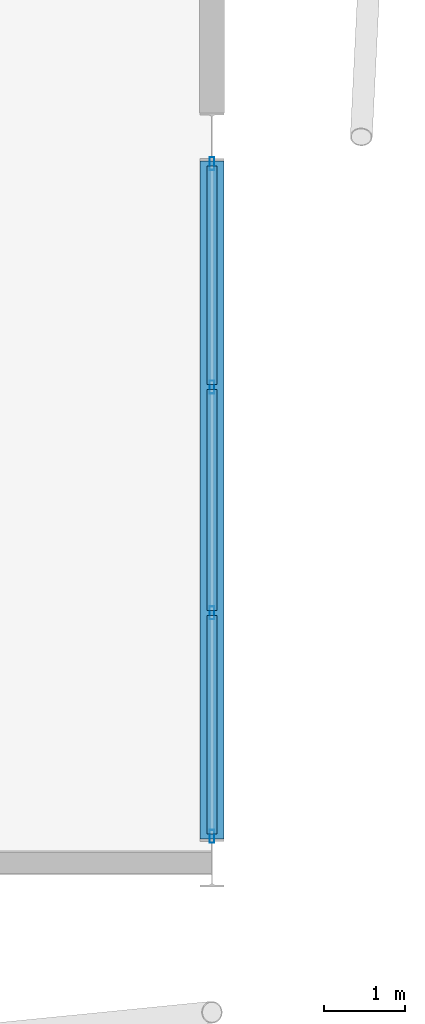
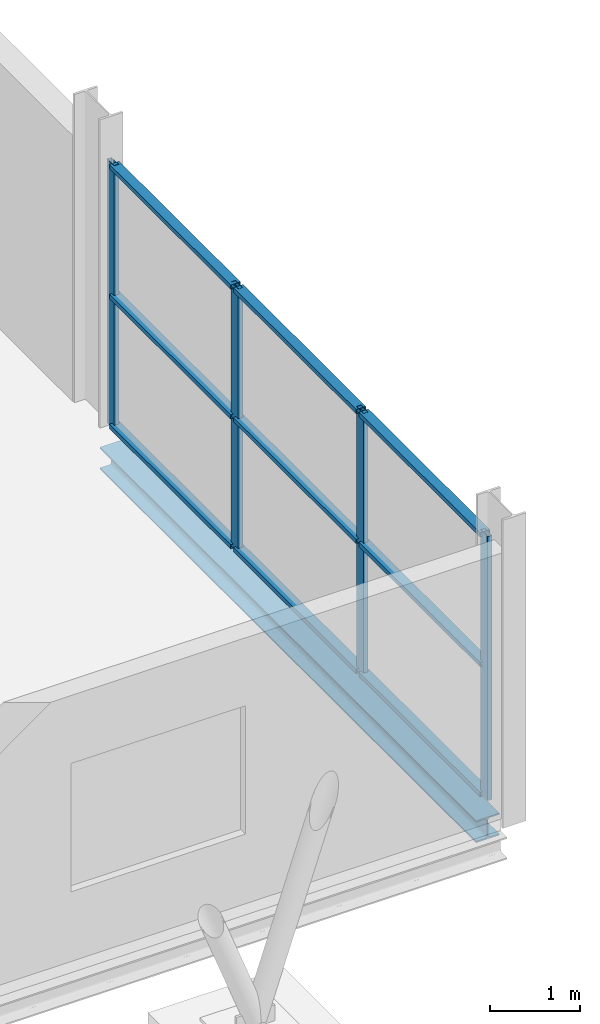
# One storey, part 87 of 140: 13 members, 1 beam, 1 element without a shape of its own.
"""IFC4 building model written with IfcOpenShell, lengths in metres."""

import ifcopenshell
import ifcopenshell.guid

model = None  # the IFC model being written
_history = None  # IfcOwnerHistory: only IFC2X3 demands one
_inside = {}  # id of a spatial element -> (the spatial element, [elements in it])
_under = {}  # id of a project, library or spatial element -> (it, [spatial elements below it])
_declared = {}  # id of a project -> (the project, [libraries it declares])
_typed = {}  # id of a type object -> (the type object, [elements of that type])
_made_of = {}  # id of a material, layer set ... -> (it, [elements and type objects made of it])


def new_model(schema):
    """Start an empty IFC model of exactly this schema.

    Asked for "IFC4X3", IfcOpenShell would pick the latest addendum, in which some entities
    have other attributes; the version numbers below select the first issue.
    IFC2X3 requires an IfcOwnerHistory on every rooted entity: one is made here for all.
    """
    global model, _history
    if schema == "IFC4X3":
        model = ifcopenshell.file(schema_version=(4, 3, 0, 0))
    else:
        model = ifcopenshell.file(schema=schema)
    _inside.clear()
    _under.clear()
    _declared.clear()
    _typed.clear()
    _made_of.clear()
    _history = None
    if model.schema == "IFC2X3":
        org = make("IfcOrganization", Name="unknown")
        user = make(
            "IfcPersonAndOrganization",
            ThePerson=make("IfcPerson", FamilyName="unknown"),
            TheOrganization=org,
        )
        app = make(
            "IfcApplication",
            ApplicationDeveloper=org,
            Version="unknown",
            ApplicationFullName="unknown",
            ApplicationIdentifier="unknown",
        )
        _history = make(
            "IfcOwnerHistory",
            OwningUser=user,
            OwningApplication=app,
            ChangeAction="ADDED",
            CreationDate=0,
        )
    return model


def make(cls, **values):
    """One entity of the class cls with the attributes given. An attribute that is None is left unset."""
    return model.create_entity(
        cls, **{name: value for name, value in values.items() if value is not None}
    )


def rooted(cls, **values):
    """An entity with a GlobalId (a new one), such as an element, a storey or a relation."""
    return make(cls, GlobalId=ifcopenshell.guid.new(), OwnerHistory=_history, **values)


def si_unit(unit_type, name, prefix=None):
    """IfcSIUnit, for example si_unit("LENGTHUNIT", "METRE", prefix="MILLI")."""
    return make("IfcSIUnit", UnitType=unit_type, Prefix=prefix, Name=name)


def assignment(units):
    """IfcUnitAssignment: the units of a project."""
    return None if units is None else make("IfcUnitAssignment", Units=units)


def point(xyz):
    """IfcCartesianPoint."""
    return None if xyz is None else make("IfcCartesianPoint", Coordinates=xyz)


def direction(xyz):
    """IfcDirection."""
    return None if xyz is None else make("IfcDirection", DirectionRatios=xyz)


def frame(location, z_axis=None, x_axis=None):
    """IfcAxis2Placement3D, a coordinate frame: its origin and axes. An axis left out is left unset."""
    return make(
        "IfcAxis2Placement3D",
        Location=point(location),
        Axis=direction(z_axis),
        RefDirection=direction(x_axis),
    )


def frame_2d(location, x_axis=None):
    """IfcAxis2Placement2D, a coordinate frame in the plane: its origin and x axis."""
    return make(
        "IfcAxis2Placement2D", Location=point(location), RefDirection=direction(x_axis)
    )


def origin():
    """The frame at (0, 0, 0) with its axes left unset."""
    return frame((0.0, 0.0, 0.0))


def origin_2d():
    """The frame at (0, 0) in the plane with its x axis left unset."""
    return frame_2d((0.0, 0.0))


def place(relative_to, where):
    """IfcLocalPlacement: puts the frame where relative to a parent placement (None: the world)."""
    return make(
        "IfcLocalPlacement", PlacementRelTo=relative_to, RelativePlacement=where
    )


def context(
    kind, dimensions, precision=None, world=None, true_north=None, identifier=None
):
    """IfcGeometricRepresentationContext, for example the 3D "Model" context."""
    return make(
        "IfcGeometricRepresentationContext",
        ContextIdentifier=identifier,
        ContextType=kind,
        CoordinateSpaceDimension=dimensions,
        Precision=precision,
        WorldCoordinateSystem=world,
        TrueNorth=true_north,
    )


def subcontext(parent, identifier, kind, view, scale=None):
    """IfcGeometricRepresentationSubContext, for example "Body" below "Model"."""
    return make(
        "IfcGeometricRepresentationSubContext",
        ContextIdentifier=identifier,
        ContextType=kind,
        ParentContext=parent,
        TargetScale=scale,
        TargetView=view,
    )


def project(units=None, contexts=None):
    """IfcProject with its units and contexts."""
    return rooted(
        "IfcProject",
        Name="project",
        RepresentationContexts=contexts,
        UnitsInContext=assignment(units),
    )


def spatial(cls, under=None, at=None, **own):
    """A site, building, storey or space (cls), placed at a placement, below another one or the project."""
    s = rooted(cls, ObjectPlacement=at, **own)
    if under is not None:
        _under.setdefault(under.id(), (under, []))[1].append(s)
    return s


def profile(cls, at=None, kind="AREA", **sizes):
    """A parametric profile (cls). Its sizes go by their IFC names, for example OverallWidth=200.0."""
    return make(cls, ProfileType=kind, Position=at, **sizes)


def hollow_rectangle(**sizes):
    """IfcRectangleHollowProfileDef."""
    return profile("IfcRectangleHollowProfileDef", **sizes)


def i_section(**sizes):
    """IfcIShapeProfileDef."""
    return profile("IfcIShapeProfileDef", **sizes)


def extrude(swept, where, along, depth):
    """IfcExtrudedAreaSolid: the profile swept, set in the frame where, extruded along a direction by depth."""
    return make(
        "IfcExtrudedAreaSolid",
        SweptArea=swept,
        Position=where,
        ExtrudedDirection=direction(along),
        Depth=depth,
    )


def shape(context_of_items, identifier, shape_type, items):
    """IfcShapeRepresentation: the items that make up one representation, for example the "Body"."""
    return make(
        "IfcShapeRepresentation",
        ContextOfItems=context_of_items,
        RepresentationIdentifier=identifier,
        RepresentationType=shape_type,
        Items=items,
    )


def material(Name=None, Category=None):
    """IfcMaterial."""
    return make("IfcMaterial", Name=Name, Category=Category)


def layer(
    of_material, thickness, ventilated=None, Name=None, Category=None, Priority=None
):
    """IfcMaterialLayer: one layer of a wall or slab, of a material (None: an air gap)."""
    return make(
        "IfcMaterialLayer",
        Material=of_material,
        LayerThickness=thickness,
        IsVentilated=ventilated,
        Name=Name,
        Category=Category,
        Priority=Priority,
    )


def layer_set(layers, Name=None):
    """IfcMaterialLayerSet."""
    return make("IfcMaterialLayerSet", MaterialLayers=layers, LayerSetName=Name)


def material_profile(
    of_material, cross_section, Name=None, Category=None, Priority=None
):
    """IfcMaterialProfile: a cross section and its material."""
    return make(
        "IfcMaterialProfile",
        Name=Name,
        Material=of_material,
        Profile=cross_section,
        Priority=Priority,
        Category=Category,
    )


def profile_set(profiles, Name=None, composite=None):
    """IfcMaterialProfileSet."""
    return make(
        "IfcMaterialProfileSet",
        Name=Name,
        MaterialProfiles=profiles,
        CompositeProfile=composite,
    )


def made_of(thing, what):
    """Note that an element or type object is made of a material, layer set ...; save() writes the relation."""
    if what is not None:
        _made_of.setdefault(what.id(), (what, []))[1].append(thing)
    return thing


def type_object(cls, material=None, **own):
    """A type object (cls), such as IfcWallType, which elements share."""
    return made_of(rooted(cls, **own), material)


def element(
    cls,
    number,
    at=None,
    inside=None,
    cuts=None,
    type_object=None,
    material=None,
    context=None,
    identifier="Body",
    shape_type=None,
    held_by="IfcProductDefinitionShape",
    body=None,
    shapes=None,
    **own,
):
    """One element of the class cls, such as IfcWall. Its Tag is "e" and its number.

    at: its placement. inside: the storey or other place that contains it. cuts: it is an
    opening in that element (IfcRelVoidsElement). A single representation is given by context,
    identifier, shape_type and body (its items); several are given by shapes. held_by: the class
    of the entity that holds the representations. save() writes the other relations.
    """
    e = rooted(cls, Tag="e%d" % number, ObjectPlacement=at, **own)
    if body is not None:
        shapes = [shape(context, identifier, shape_type, body)]
    if shapes is not None:
        e.Representation = make(held_by, Representations=shapes)
    if inside is not None:
        _inside.setdefault(inside.id(), (inside, []))[1].append(e)
    if cuts is not None:
        rooted(
            "IfcRelVoidsElement", RelatingBuildingElement=cuts, RelatedOpeningElement=e
        )
    if type_object is not None:
        _typed.setdefault(type_object.id(), (type_object, []))[1].append(e)
    return made_of(e, material)


def aggregate(whole, parts):
    """IfcRelAggregates: a whole, such as a stair, and the parts it consists of."""
    return rooted("IfcRelAggregates", RelatingObject=whole, RelatedObjects=parts)


def save(model, path):
    """Write the relations noted so far, then the file.

    IfcRelAggregates (storeys below a building ...), IfcRelContainedInSpatialStructure (elements
    in a storey), IfcRelDefinesByType, IfcRelAssociatesMaterial and IfcRelDeclares: one each for
    every whole, place, type object, material and project.
    """
    for whole, parts in _under.values():
        aggregate(whole, parts)
    for where, things in _inside.values():
        rooted(
            "IfcRelContainedInSpatialStructure",
            RelatedElements=things,
            RelatingStructure=where,
        )
    for kind, things in _typed.values():
        rooted("IfcRelDefinesByType", RelatedObjects=things, RelatingType=kind)
    for what, things in _made_of.values():
        rooted("IfcRelAssociatesMaterial", RelatedObjects=things, RelatingMaterial=what)
    for by, libraries in _declared.values():
        rooted("IfcRelDeclares", RelatingContext=by, RelatedDefinitions=libraries)
    model.write(path)


model = new_model("IFC4")

# Units and contexts
model_context = context("Model", 3, precision=1e-05, world=origin(), true_north=direction((0.0, 1.0)))
body_context = subcontext(model_context, "Body", "Model", "MODEL_VIEW")
ifc_project = project(units=[si_unit("LENGTHUNIT", "METRE"), si_unit("AREAUNIT", "SQUARE_METRE"), si_unit("VOLUMEUNIT", "CUBIC_METRE"), si_unit("PLANEANGLEUNIT", "RADIAN"), si_unit("MASSUNIT", "GRAM", prefix="KILO")], contexts=[model_context])

# Site, building, storey
site_placement = place(None, origin())
site = spatial("IfcSite", under=ifc_project, at=site_placement, CompositionType="ELEMENT")
building_placement = place(site_placement, origin())
building = spatial("IfcBuilding", under=site, at=building_placement, Name="Deido Ridge Mobility Hub", CompositionType="ELEMENT")
storey_placement = place(building_placement, origin())
storey = spatial("IfcBuildingStorey", under=building, at=storey_placement, Name="L00", CompositionType="ELEMENT", Elevation=0.0)

# Curtain wall, members
ifc_material_1 = material(Name="Anodised aluminium EN AW-6063 T6", Category="aluminium")
ifc_layer = layer(ifc_material_1, 0.195068359375, Name="Anodised aluminium EN AW-6063 T6")
ifc_layer_set = layer_set([ifc_layer], Name="Anodised aluminium EN AW-6063 T6")
curtain_wall_type = type_object("IfcCurtainWallType", Name="CW-UF-3", PredefinedType="USERDEFINED", material=ifc_layer_set)
curtain_wall_placement = place(storey_placement, origin())
curtain_wall = element("IfcCurtainWall", 1, at=curtain_wall_placement, inside=storey, type_object=curtain_wall_type, Name="Unitised curtain wall CW3", ObjectType="UNITISED FACADE", PredefinedType="USERDEFINED")
ifc_material_profile_1 = material_profile(ifc_material_1, hollow_rectangle(XDim=0.06005859375, YDim=0.159912109375, WallThickness=0.00390625, at=origin_2d()), Name="RHS 60x160x4")
ifc_profile_set_1 = profile_set([ifc_material_profile_1], Name="Anodised aluminium EN AW-6063 T6")
member_type_1 = type_object("IfcMemberType", Name="MEM-MUL-60X160", PredefinedType="MULLION", material=ifc_profile_set_1)
member_1_placement = place(storey_placement, frame((180.0, 0.330078125, 0.0), z_axis=(0.0, 0.0, 1.0), x_axis=(-1.0, 0.0, 0.0)))
member_1 = element("IfcMember", 2, at=member_1_placement, type_object=member_type_1, Name="CW3 mullion 1", PredefinedType="MULLION", context=body_context, shape_type="SweptSolid", body=[
    extrude(hollow_rectangle(XDim=0.06005859375, YDim=0.159912109375, WallThickness=0.00390625, at=origin_2d()), origin(), (0.0, 0.0, 1.0), 3.60009765625),
])
member_2_placement = place(storey_placement, frame((180.0, 3.10009765625, 0.0), z_axis=(0.0, 0.0, 1.0), x_axis=(-1.0, 0.0, 0.0)))
member_2 = element("IfcMember", 3, at=member_2_placement, type_object=member_type_1, Name="CW3 mullion 2", PredefinedType="MULLION", context=body_context, shape_type="SweptSolid", body=[
    extrude(hollow_rectangle(XDim=0.06005859375, YDim=0.159912109375, WallThickness=0.00390625, at=origin_2d()), origin(), (0.0, 0.0, 1.0), 3.60009765625),
])
member_3_placement = place(storey_placement, frame((180.0, 5.89990234375, 0.0), z_axis=(0.0, 0.0, 1.0), x_axis=(-1.0, 0.0, 0.0)))
member_3 = element("IfcMember", 4, at=member_3_placement, type_object=member_type_1, Name="CW3 mullion 3", PredefinedType="MULLION", context=body_context, shape_type="SweptSolid", body=[
    extrude(hollow_rectangle(XDim=0.06005859375, YDim=0.159912109375, WallThickness=0.00390625, at=origin_2d()), origin(), (0.0, 0.0, 1.0), 3.60009765625),
])
member_4_placement = place(storey_placement, frame((180.0, 8.669921875, 0.0), z_axis=(0.0, 0.0, 1.0), x_axis=(-1.0, 0.0, 0.0)))
member_4 = element("IfcMember", 5, at=member_4_placement, type_object=member_type_1, Name="CW3 mullion 4", PredefinedType="MULLION", context=body_context, shape_type="SweptSolid", body=[
    extrude(hollow_rectangle(XDim=0.06005859375, YDim=0.159912109375, WallThickness=0.00390625, at=origin_2d()), origin(), (0.0, 0.0, 1.0), 3.60009765625),
])
ifc_material_profile_2 = material_profile(ifc_material_1, hollow_rectangle(XDim=0.125, YDim=0.06005859375, WallThickness=0.00390625, at=origin_2d()), Name="RHS 125x60x4")
ifc_profile_set_2 = profile_set([ifc_material_profile_2], Name="Anodised aluminium EN AW-6063 T6")
member_type_2 = type_object("IfcMemberType", Name="MEM-TRN-125X60", PredefinedType="USERDEFINED", material=ifc_profile_set_2)
member_5_placement = place(storey_placement, frame((180.0, 0.360107421875, 0.030029296875), z_axis=(0.0, 1.0, 0.0), x_axis=(-1.0, 0.0, 0.0)))
member_5 = element("IfcMember", 6, at=member_5_placement, type_object=member_type_2, Name="CW3 transom 1.1", ObjectType="TRANSOM", PredefinedType="USERDEFINED", context=body_context, shape_type="SweptSolid", body=[
    extrude(hollow_rectangle(XDim=0.125, YDim=0.06005859375, WallThickness=0.00390625, at=origin_2d()), origin(), (0.0, 0.0, 1.0), 2.7099609375),
])
member_6_placement = place(storey_placement, frame((180.0, 0.360107421875, 1.800048828125), z_axis=(0.0, 1.0, 0.0), x_axis=(-1.0, 0.0, 0.0)))
member_6 = element("IfcMember", 7, at=member_6_placement, type_object=member_type_2, Name="CW3 transom 1.2", ObjectType="TRANSOM", PredefinedType="USERDEFINED", context=body_context, shape_type="SweptSolid", body=[
    extrude(hollow_rectangle(XDim=0.125, YDim=0.06005859375, WallThickness=0.00390625, at=origin_2d()), origin(), (0.0, 0.0, 1.0), 2.7099609375),
])
member_7_placement = place(storey_placement, frame((180.0, 0.360107421875, 3.570068359375), z_axis=(0.0, 1.0, 0.0), x_axis=(-1.0, 0.0, 0.0)))
member_7 = element("IfcMember", 8, at=member_7_placement, type_object=member_type_2, Name="CW3 transom 1.3", ObjectType="TRANSOM", PredefinedType="USERDEFINED", context=body_context, shape_type="SweptSolid", body=[
    extrude(hollow_rectangle(XDim=0.125, YDim=0.06005859375, WallThickness=0.00390625, at=origin_2d()), origin(), (0.0, 0.0, 1.0), 2.7099609375),
])
member_8_placement = place(storey_placement, frame((180.0, 3.1298828125, 0.030029296875), z_axis=(0.0, 1.0, 0.0), x_axis=(-1.0, 0.0, 0.0)))
member_8 = element("IfcMember", 9, at=member_8_placement, type_object=member_type_2, Name="CW3 transom 2.1", ObjectType="TRANSOM", PredefinedType="USERDEFINED", context=body_context, shape_type="SweptSolid", body=[
    extrude(hollow_rectangle(XDim=0.125, YDim=0.06005859375, WallThickness=0.00390625, at=origin_2d()), origin(), (0.0, 0.0, 1.0), 2.740234375),
])
member_9_placement = place(storey_placement, frame((180.0, 3.1298828125, 1.800048828125), z_axis=(0.0, 1.0, 0.0), x_axis=(-1.0, 0.0, 0.0)))
member_9 = element("IfcMember", 10, at=member_9_placement, type_object=member_type_2, Name="CW3 transom 2.2", ObjectType="TRANSOM", PredefinedType="USERDEFINED", context=body_context, shape_type="SweptSolid", body=[
    extrude(hollow_rectangle(XDim=0.125, YDim=0.06005859375, WallThickness=0.00390625, at=origin_2d()), origin(), (0.0, 0.0, 1.0), 2.740234375),
])
member_10_placement = place(storey_placement, frame((180.0, 3.1298828125, 3.570068359375), z_axis=(0.0, 1.0, 0.0), x_axis=(-1.0, 0.0, 0.0)))
member_10 = element("IfcMember", 11, at=member_10_placement, type_object=member_type_2, Name="CW3 transom 2.3", ObjectType="TRANSOM", PredefinedType="USERDEFINED", context=body_context, shape_type="SweptSolid", body=[
    extrude(hollow_rectangle(XDim=0.125, YDim=0.06005859375, WallThickness=0.00390625, at=origin_2d()), origin(), (0.0, 0.0, 1.0), 2.740234375),
])
member_11_placement = place(storey_placement, frame((180.0, 5.929931640625, 0.030029296875), z_axis=(0.0, 1.0, 0.0), x_axis=(-1.0, 0.0, 0.0)))
member_11 = element("IfcMember", 12, at=member_11_placement, type_object=member_type_2, Name="CW3 transom 3.1", ObjectType="TRANSOM", PredefinedType="USERDEFINED", context=body_context, shape_type="SweptSolid", body=[
    extrude(hollow_rectangle(XDim=0.125, YDim=0.06005859375, WallThickness=0.00390625, at=origin_2d()), origin(), (0.0, 0.0, 1.0), 2.7099609375),
])
member_12_placement = place(storey_placement, frame((180.0, 5.929931640625, 1.800048828125), z_axis=(0.0, 1.0, 0.0), x_axis=(-1.0, 0.0, 0.0)))
member_12 = element("IfcMember", 13, at=member_12_placement, type_object=member_type_2, Name="CW3 transom 3.2", ObjectType="TRANSOM", PredefinedType="USERDEFINED", context=body_context, shape_type="SweptSolid", body=[
    extrude(hollow_rectangle(XDim=0.125, YDim=0.06005859375, WallThickness=0.00390625, at=origin_2d()), origin(), (0.0, 0.0, 1.0), 2.7099609375),
])
member_13_placement = place(storey_placement, frame((180.0, 5.929931640625, 3.570068359375), z_axis=(0.0, 1.0, 0.0), x_axis=(-1.0, 0.0, 0.0)))
member_13 = element("IfcMember", 14, at=member_13_placement, type_object=member_type_2, Name="CW3 transom 3.3", ObjectType="TRANSOM", PredefinedType="USERDEFINED", context=body_context, shape_type="SweptSolid", body=[
    extrude(hollow_rectangle(XDim=0.125, YDim=0.06005859375, WallThickness=0.00390625, at=origin_2d()), origin(), (0.0, 0.0, 1.0), 2.7099609375),
])
aggregate(curtain_wall, [member_1, member_2, member_3, member_4, member_5, member_6, member_7, member_8, member_9, member_10, member_11, member_12, member_13])

# Beam
ifc_material_2 = material(Name="Steel S355J2 EN 10025-2", Category="steel")
ifc_material_profile_3 = material_profile(ifc_material_2, i_section(OverallWidth=0.300048828125, OverallDepth=0.300048828125, WebThickness=0.010986328125, FlangeThickness=0.01904296875, FilletRadius=0.027099609375, at=origin_2d()), Name="HEB 300")
ifc_profile_set_3 = profile_set([ifc_material_profile_3], Name="Steel S355J2 EN 10025-2")
beam_type = type_object("IfcBeamType", Name="SPD-HEB300", PredefinedType="SPANDREL", material=ifc_profile_set_3)
beam_placement = place(storey_placement, frame((180.0, 0.300048828125, -0.409912109375), z_axis=(0.0, 1.0, 0.0), x_axis=(-1.0, 0.0, 0.0)))
element("IfcBeam", 15, at=beam_placement, inside=storey, type_object=beam_type, Name="Floor beam SP1", PredefinedType="SPANDREL", context=body_context, shape_type="SweptSolid", body=[
    extrude(i_section(OverallWidth=0.300048828125, OverallDepth=0.300048828125, WebThickness=0.010986328125, FlangeThickness=0.01904296875, FilletRadius=0.027099609375, at=origin_2d()), origin(), (0.0, 0.0, 1.0), 8.39990234375),
])

save(model, "model.ifc")
